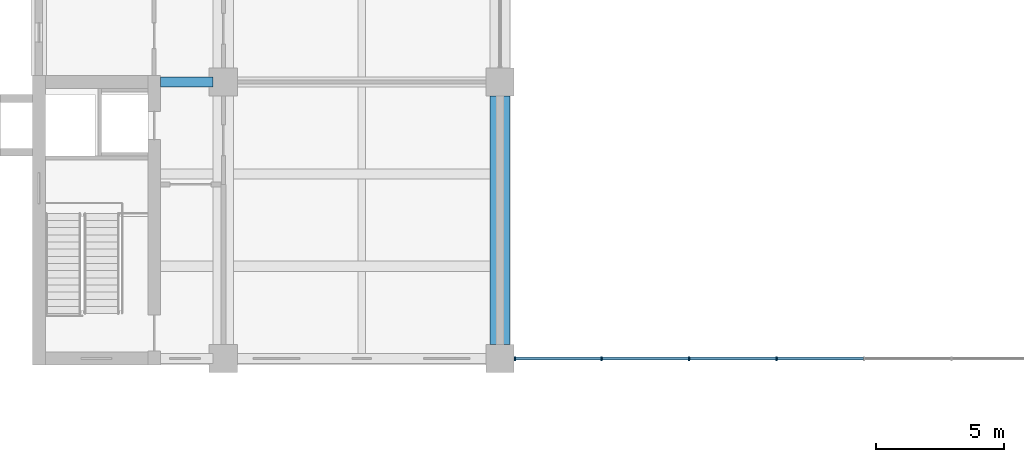
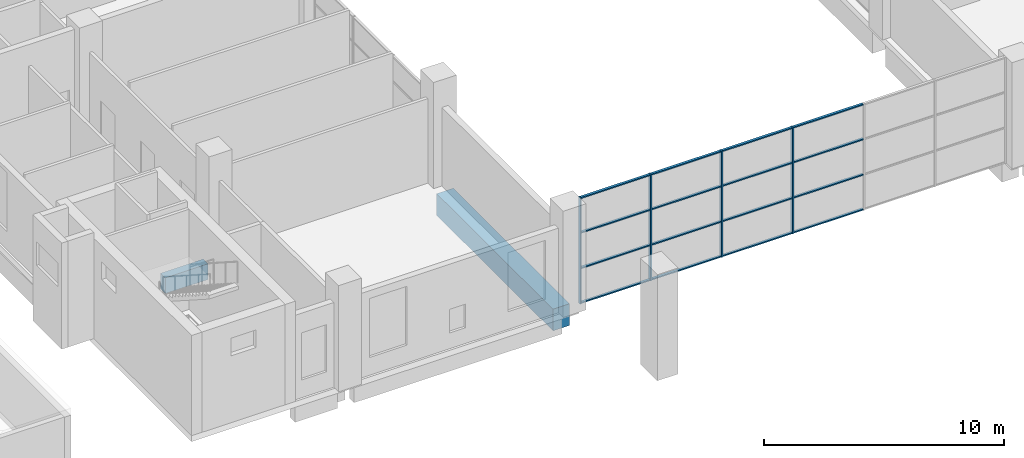
# One storey, part 2 of 32: 20 members, 2 beams, 1 element without a shape of its own.
"""IFC4 building model written with IfcOpenShell, lengths in metres."""

from ifc_helpers import new_model, si_unit, direction, frame, origin, origin_2d, place, context, subcontext, project, spatial, rectangle, extrude, material, layer, layer_set, material_profile, profile_set, type_object, element, aggregate, save


model = new_model("IFC4")

# Units and contexts
model_context = context("Model", 3, precision=1e-05, world=origin(), true_north=direction((0.0, 1.0)))
body_context = subcontext(model_context, "Body", "Model", "MODEL_VIEW")
ifc_project = project(units=[si_unit("LENGTHUNIT", "METRE"), si_unit("AREAUNIT", "SQUARE_METRE"), si_unit("VOLUMEUNIT", "CUBIC_METRE"), si_unit("PLANEANGLEUNIT", "RADIAN"), si_unit("MASSUNIT", "GRAM", prefix="KILO")], contexts=[model_context])

# Site, building, storey
site_placement = place(None, origin())
site = spatial("IfcSite", under=ifc_project, at=site_placement, CompositionType="ELEMENT")
building_placement = place(site_placement, origin())
building = spatial("IfcBuilding", under=site, at=building_placement, Name="Basin Gate Institute", CompositionType="ELEMENT")
storey_placement = place(building_placement, frame((0.0, 0.0, 11.39990234375)))
storey = spatial("IfcBuildingStorey", under=building, at=storey_placement, Name="L02", CompositionType="ELEMENT", Elevation=11.39990234375)

# Curtain wall, members
ifc_material_1 = material(Name="Aluminium and glass curtain wall", Category="aluminium")
ifc_layer = layer(ifc_material_1, 0.14990234375)
ifc_layer_set = layer_set([ifc_layer], Name="Atrium curtain wall CW81")
curtain_wall_type = type_object("IfcCurtainWallType", Name="Atrium curtain wall CW81", PredefinedType="NOTDEFINED", material=ifc_layer_set)
curtain_wall_placement = place(storey_placement, origin())
curtain_wall = element("IfcCurtainWall", 1, at=curtain_wall_placement, inside=storey, type_object=curtain_wall_type, material=ifc_layer_set, Name="Atrium end screen S L02", PredefinedType="NOTDEFINED")
ifc_material_2 = material(Name="Aluminium mullion", Category="aluminium")
ifc_material_profile_1 = material_profile(ifc_material_2, rectangle(XDim=0.159912109375, YDim=0.06005859375, at=origin_2d()), Name="Atrium mullion MU81 160 x 60")
ifc_profile_set_1 = profile_set([ifc_material_profile_1], Name="Aluminium mullion")
member_type_1 = type_object("IfcMemberType", Name="Atrium mullion MU81", PredefinedType="MULLION", material=ifc_profile_set_1)
member_1_placement = place(storey_placement, frame((79.780029296875, 35.10009765625, 0.0), z_axis=(0.0, 0.0, 1.0), x_axis=(0.0, 1.0, 0.0)))
member_1 = element("IfcMember", 2, at=member_1_placement, type_object=member_type_1, material=ifc_profile_set_1, Name="CW81 mullion 1", PredefinedType="MULLION", context=body_context, shape_type="SweptSolid", body=[
    extrude(rectangle(XDim=0.159912109375, YDim=0.06005859375, at=origin_2d()), origin(), (0.0, 0.0, 1.0), 5.400146484375),
])
member_2_placement = place(storey_placement, frame((83.166748046875, 35.10009765625, 0.0), z_axis=(0.0, 0.0, 1.0), x_axis=(0.0, 1.0, 0.0)))
member_2 = element("IfcMember", 3, at=member_2_placement, type_object=member_type_1, material=ifc_profile_set_1, Name="CW81 mullion 2", PredefinedType="MULLION", context=body_context, shape_type="SweptSolid", body=[
    extrude(rectangle(XDim=0.159912109375, YDim=0.06005859375, at=origin_2d()), origin(), (0.0, 0.0, 1.0), 5.400146484375),
])
member_3_placement = place(storey_placement, frame((86.583251953125, 35.10009765625, 0.0), z_axis=(0.0, 0.0, 1.0), x_axis=(0.0, 1.0, 0.0)))
member_3 = element("IfcMember", 4, at=member_3_placement, type_object=member_type_1, material=ifc_profile_set_1, Name="CW81 mullion 3", PredefinedType="MULLION", context=body_context, shape_type="SweptSolid", body=[
    extrude(rectangle(XDim=0.159912109375, YDim=0.06005859375, at=origin_2d()), origin(), (0.0, 0.0, 1.0), 5.400146484375),
])
member_4_placement = place(storey_placement, frame((90.0, 35.10009765625, 0.0), z_axis=(0.0, 0.0, 1.0), x_axis=(0.0, 1.0, 0.0)))
member_4 = element("IfcMember", 5, at=member_4_placement, type_object=member_type_1, material=ifc_profile_set_1, Name="CW81 mullion 4", PredefinedType="MULLION", context=body_context, shape_type="SweptSolid", body=[
    extrude(rectangle(XDim=0.159912109375, YDim=0.06005859375, at=origin_2d()), origin(), (0.0, 0.0, 1.0), 5.400146484375),
])
ifc_material_3 = material(Name="Aluminium transom", Category="aluminium")
ifc_material_profile_2 = material_profile(ifc_material_3, rectangle(XDim=0.1201171875, YDim=0.06005859375, at=origin_2d()), Name="Atrium transom TR81 120 x 60")
ifc_profile_set_2 = profile_set([ifc_material_profile_2], Name="Aluminium transom")
member_type_2 = type_object("IfcMemberType", Name="Atrium transom TR81", PredefinedType="USERDEFINED", material=ifc_profile_set_2)
member_5_placement = place(storey_placement, frame((79.81005859375, 35.10009765625, 0.030029296875), z_axis=(1.0, 0.0, 0.0), x_axis=(0.0, 1.0, 0.0)))
member_5 = element("IfcMember", 6, at=member_5_placement, type_object=member_type_2, material=ifc_profile_set_2, Name="CW81 transom 1.1", ObjectType="TRANSOM", PredefinedType="USERDEFINED", context=body_context, shape_type="SweptSolid", body=[
    extrude(rectangle(XDim=0.1201171875, YDim=0.06005859375, at=origin_2d()), origin(), (0.0, 0.0, 1.0), 3.32666015625),
])
member_6_placement = place(storey_placement, frame((79.81005859375, 35.10009765625, 1.800048828125), z_axis=(1.0, 0.0, 0.0), x_axis=(0.0, 1.0, 0.0)))
member_6 = element("IfcMember", 7, at=member_6_placement, type_object=member_type_2, material=ifc_profile_set_2, Name="CW81 transom 1.2", ObjectType="TRANSOM", PredefinedType="USERDEFINED", context=body_context, shape_type="SweptSolid", body=[
    extrude(rectangle(XDim=0.1201171875, YDim=0.06005859375, at=origin_2d()), origin(), (0.0, 0.0, 1.0), 3.32666015625),
])
member_7_placement = place(storey_placement, frame((79.81005859375, 35.10009765625, 3.60009765625), z_axis=(1.0, 0.0, 0.0), x_axis=(0.0, 1.0, 0.0)))
member_7 = element("IfcMember", 8, at=member_7_placement, type_object=member_type_2, material=ifc_profile_set_2, Name="CW81 transom 1.3", ObjectType="TRANSOM", PredefinedType="USERDEFINED", context=body_context, shape_type="SweptSolid", body=[
    extrude(rectangle(XDim=0.1201171875, YDim=0.06005859375, at=origin_2d()), origin(), (0.0, 0.0, 1.0), 3.32666015625),
])
member_8_placement = place(storey_placement, frame((79.81005859375, 35.10009765625, 5.3701171875), z_axis=(1.0, 0.0, 0.0), x_axis=(0.0, 1.0, 0.0)))
member_8 = element("IfcMember", 9, at=member_8_placement, type_object=member_type_2, material=ifc_profile_set_2, Name="CW81 transom 1.4", ObjectType="TRANSOM", PredefinedType="USERDEFINED", context=body_context, shape_type="SweptSolid", body=[
    extrude(rectangle(XDim=0.1201171875, YDim=0.06005859375, at=origin_2d()), origin(), (0.0, 0.0, 1.0), 3.32666015625),
])
member_9_placement = place(storey_placement, frame((83.19677734375, 35.10009765625, 0.030029296875), z_axis=(1.0, 0.0, 0.0), x_axis=(0.0, 1.0, 0.0)))
member_9 = element("IfcMember", 10, at=member_9_placement, type_object=member_type_2, material=ifc_profile_set_2, Name="CW81 transom 2.1", ObjectType="TRANSOM", PredefinedType="USERDEFINED", context=body_context, shape_type="SweptSolid", body=[
    extrude(rectangle(XDim=0.1201171875, YDim=0.06005859375, at=origin_2d()), origin(), (0.0, 0.0, 1.0), 3.3564453125),
])
member_10_placement = place(storey_placement, frame((83.19677734375, 35.10009765625, 1.800048828125), z_axis=(1.0, 0.0, 0.0), x_axis=(0.0, 1.0, 0.0)))
member_10 = element("IfcMember", 11, at=member_10_placement, type_object=member_type_2, material=ifc_profile_set_2, Name="CW81 transom 2.2", ObjectType="TRANSOM", PredefinedType="USERDEFINED", context=body_context, shape_type="SweptSolid", body=[
    extrude(rectangle(XDim=0.1201171875, YDim=0.06005859375, at=origin_2d()), origin(), (0.0, 0.0, 1.0), 3.3564453125),
])
member_11_placement = place(storey_placement, frame((83.19677734375, 35.10009765625, 3.60009765625), z_axis=(1.0, 0.0, 0.0), x_axis=(0.0, 1.0, 0.0)))
member_11 = element("IfcMember", 12, at=member_11_placement, type_object=member_type_2, material=ifc_profile_set_2, Name="CW81 transom 2.3", ObjectType="TRANSOM", PredefinedType="USERDEFINED", context=body_context, shape_type="SweptSolid", body=[
    extrude(rectangle(XDim=0.1201171875, YDim=0.06005859375, at=origin_2d()), origin(), (0.0, 0.0, 1.0), 3.3564453125),
])
member_12_placement = place(storey_placement, frame((83.19677734375, 35.10009765625, 5.3701171875), z_axis=(1.0, 0.0, 0.0), x_axis=(0.0, 1.0, 0.0)))
member_12 = element("IfcMember", 13, at=member_12_placement, type_object=member_type_2, material=ifc_profile_set_2, Name="CW81 transom 2.4", ObjectType="TRANSOM", PredefinedType="USERDEFINED", context=body_context, shape_type="SweptSolid", body=[
    extrude(rectangle(XDim=0.1201171875, YDim=0.06005859375, at=origin_2d()), origin(), (0.0, 0.0, 1.0), 3.3564453125),
])
member_13_placement = place(storey_placement, frame((86.61328125, 35.10009765625, 0.030029296875), z_axis=(1.0, 0.0, 0.0), x_axis=(0.0, 1.0, 0.0)))
member_13 = element("IfcMember", 14, at=member_13_placement, type_object=member_type_2, material=ifc_profile_set_2, Name="CW81 transom 3.1", ObjectType="TRANSOM", PredefinedType="USERDEFINED", context=body_context, shape_type="SweptSolid", body=[
    extrude(rectangle(XDim=0.1201171875, YDim=0.06005859375, at=origin_2d()), origin(), (0.0, 0.0, 1.0), 3.356689453125),
])
member_14_placement = place(storey_placement, frame((86.61328125, 35.10009765625, 1.800048828125), z_axis=(1.0, 0.0, 0.0), x_axis=(0.0, 1.0, 0.0)))
member_14 = element("IfcMember", 15, at=member_14_placement, type_object=member_type_2, material=ifc_profile_set_2, Name="CW81 transom 3.2", ObjectType="TRANSOM", PredefinedType="USERDEFINED", context=body_context, shape_type="SweptSolid", body=[
    extrude(rectangle(XDim=0.1201171875, YDim=0.06005859375, at=origin_2d()), origin(), (0.0, 0.0, 1.0), 3.356689453125),
])
member_15_placement = place(storey_placement, frame((86.61328125, 35.10009765625, 3.60009765625), z_axis=(1.0, 0.0, 0.0), x_axis=(0.0, 1.0, 0.0)))
member_15 = element("IfcMember", 16, at=member_15_placement, type_object=member_type_2, material=ifc_profile_set_2, Name="CW81 transom 3.3", ObjectType="TRANSOM", PredefinedType="USERDEFINED", context=body_context, shape_type="SweptSolid", body=[
    extrude(rectangle(XDim=0.1201171875, YDim=0.06005859375, at=origin_2d()), origin(), (0.0, 0.0, 1.0), 3.356689453125),
])
member_16_placement = place(storey_placement, frame((86.61328125, 35.10009765625, 5.3701171875), z_axis=(1.0, 0.0, 0.0), x_axis=(0.0, 1.0, 0.0)))
member_16 = element("IfcMember", 17, at=member_16_placement, type_object=member_type_2, material=ifc_profile_set_2, Name="CW81 transom 3.4", ObjectType="TRANSOM", PredefinedType="USERDEFINED", context=body_context, shape_type="SweptSolid", body=[
    extrude(rectangle(XDim=0.1201171875, YDim=0.06005859375, at=origin_2d()), origin(), (0.0, 0.0, 1.0), 3.356689453125),
])
member_17_placement = place(storey_placement, frame((90.030029296875, 35.10009765625, 0.030029296875), z_axis=(1.0, 0.0, 0.0), x_axis=(0.0, 1.0, 0.0)))
member_17 = element("IfcMember", 18, at=member_17_placement, type_object=member_type_2, material=ifc_profile_set_2, Name="CW81 transom 4.1", ObjectType="TRANSOM", PredefinedType="USERDEFINED", context=body_context, shape_type="SweptSolid", body=[
    extrude(rectangle(XDim=0.1201171875, YDim=0.06005859375, at=origin_2d()), origin(), (0.0, 0.0, 1.0), 3.356689453125),
])
member_18_placement = place(storey_placement, frame((90.030029296875, 35.10009765625, 1.800048828125), z_axis=(1.0, 0.0, 0.0), x_axis=(0.0, 1.0, 0.0)))
member_18 = element("IfcMember", 19, at=member_18_placement, type_object=member_type_2, material=ifc_profile_set_2, Name="CW81 transom 4.2", ObjectType="TRANSOM", PredefinedType="USERDEFINED", context=body_context, shape_type="SweptSolid", body=[
    extrude(rectangle(XDim=0.1201171875, YDim=0.06005859375, at=origin_2d()), origin(), (0.0, 0.0, 1.0), 3.356689453125),
])
member_19_placement = place(storey_placement, frame((90.030029296875, 35.10009765625, 3.60009765625), z_axis=(1.0, 0.0, 0.0), x_axis=(0.0, 1.0, 0.0)))
member_19 = element("IfcMember", 20, at=member_19_placement, type_object=member_type_2, material=ifc_profile_set_2, Name="CW81 transom 4.3", ObjectType="TRANSOM", PredefinedType="USERDEFINED", context=body_context, shape_type="SweptSolid", body=[
    extrude(rectangle(XDim=0.1201171875, YDim=0.06005859375, at=origin_2d()), origin(), (0.0, 0.0, 1.0), 3.356689453125),
])
member_20_placement = place(storey_placement, frame((90.030029296875, 35.10009765625, 5.3701171875), z_axis=(1.0, 0.0, 0.0), x_axis=(0.0, 1.0, 0.0)))
member_20 = element("IfcMember", 21, at=member_20_placement, type_object=member_type_2, material=ifc_profile_set_2, Name="CW81 transom 4.4", ObjectType="TRANSOM", PredefinedType="USERDEFINED", context=body_context, shape_type="SweptSolid", body=[
    extrude(rectangle(XDim=0.1201171875, YDim=0.06005859375, at=origin_2d()), origin(), (0.0, 0.0, 1.0), 3.356689453125),
])
aggregate(curtain_wall, [member_1, member_2, member_3, member_4, member_5, member_6, member_7, member_8, member_9, member_10, member_11, member_12, member_13, member_14, member_15, member_16, member_17, member_18, member_19, member_20])

# Beams
ifc_material_4 = material(Name="Concrete 40 MPa", Category="concrete")
ifc_material_profile_3 = material_profile(ifc_material_4, rectangle(XDim=0.39990234375, YDim=0.800048828125, at=origin_2d()), Name="Beam B2 400 x 800")
ifc_profile_set_3 = profile_set([ifc_material_profile_3], Name="Concrete 40 MPa")
beam_type_1 = type_object("IfcBeamType", Name="Beam B2 R180", PredefinedType="BEAM", material=ifc_profile_set_3)
beam_1_placement = place(storey_placement, frame((65.949951171875, 45.89990234375, -0.699951171875), z_axis=(1.0, 0.0, 0.0), x_axis=(0.0, 1.0, 0.0)))
element("IfcBeam", 22, at=beam_1_placement, inside=storey, type_object=beam_type_1, material=ifc_profile_set_3, Name="BEAM/L02/W/CORR/04", PredefinedType="BEAM", context=body_context, shape_type="SweptSolid", body=[
    extrude(rectangle(XDim=0.39990234375, YDim=0.800048828125, at=origin_2d()), origin(), (0.0, 0.0, 1.0), 2.050048828125),
])
ifc_material_5 = material(Name="Concrete 50 MPa", Category="concrete")
ifc_material_profile_4 = material_profile(ifc_material_5, rectangle(XDim=0.800048828125, YDim=1.10009765625, at=origin_2d()), Name="Girder G2 800 x 1100")
ifc_profile_set_4 = profile_set([ifc_material_profile_4], Name="Concrete 50 MPa")
beam_type_2 = type_object("IfcBeamType", Name="Girder G2 R180", PredefinedType="BEAM", material=ifc_profile_set_4)
beam_2_placement = place(storey_placement, frame((79.199951171875, 35.64990234375, -0.849853515625), z_axis=(0.0, 1.0, 0.0), x_axis=(-1.0, 0.0, 0.0)))
element("IfcBeam", 23, at=beam_2_placement, inside=storey, type_object=beam_type_2, material=ifc_profile_set_4, Name="GIR/L02/W6/1", PredefinedType="BEAM", context=body_context, shape_type="SweptSolid", body=[
    extrude(rectangle(XDim=0.800048828125, YDim=1.10009765625, at=origin_2d()), origin(), (0.0, 0.0, 1.0), 9.7001953125),
])

save(model, "model.ifc")
